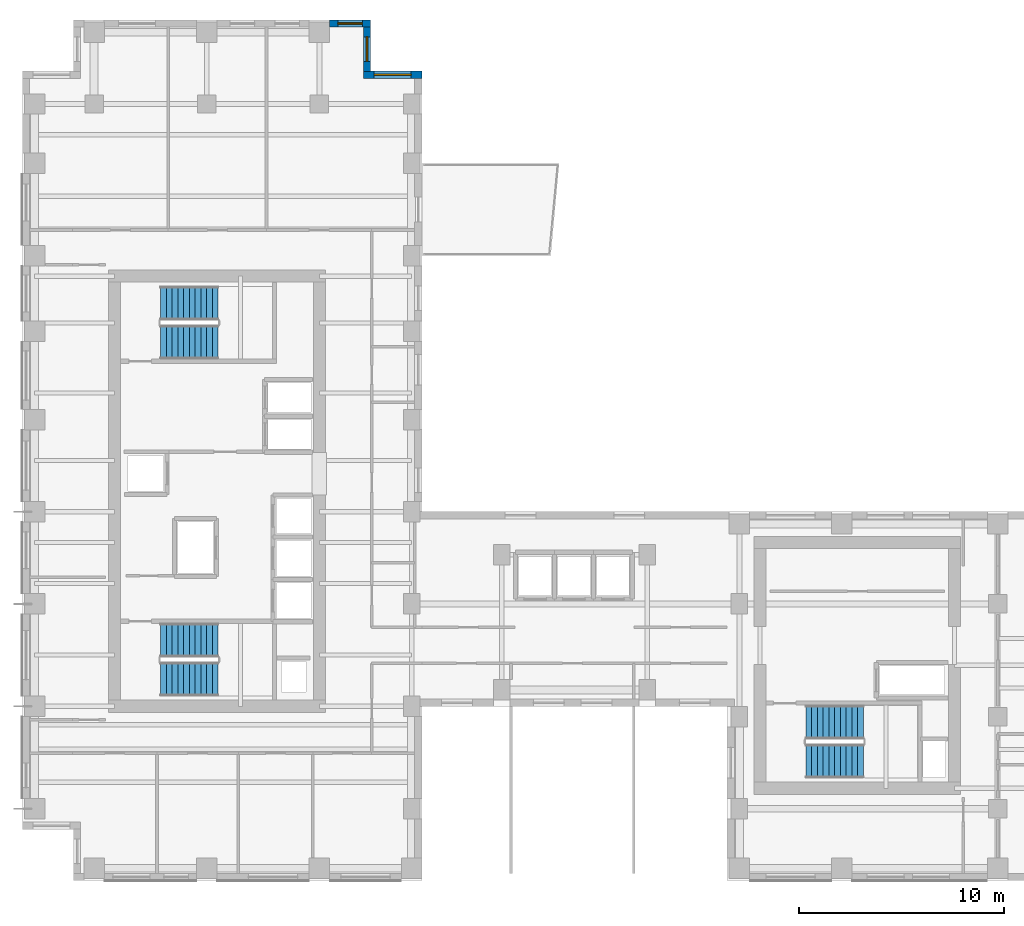
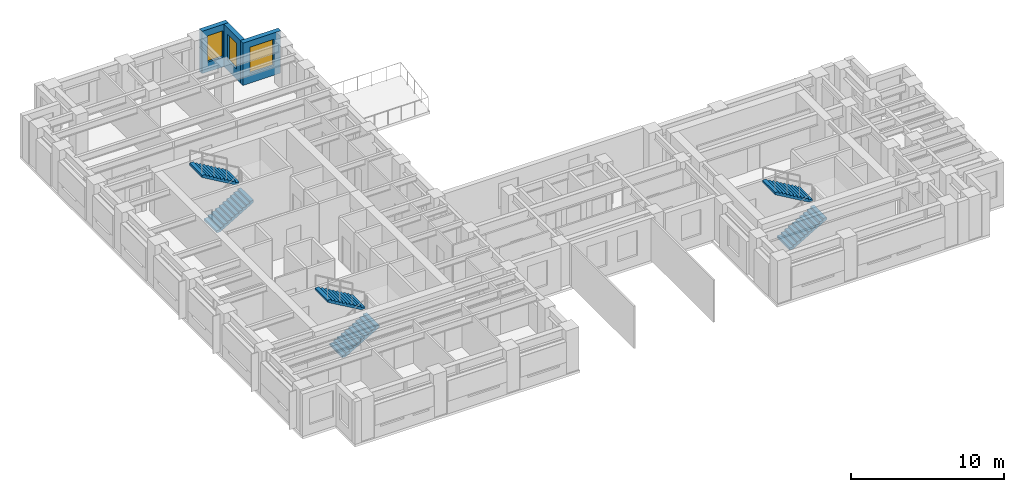
# One storey, part 9 of 11: 6 stair flights, 3 walls, 3 windows, 3 openings, 3 elements without a shape of their own.
"""IFC4 building model written with IfcOpenShell, lengths in metres."""

from ifc_helpers import new_model, si_unit, direction, frame, frame_2d, origin, place, context, subcontext, project, spatial, polyline, rectangle, outline, extrude, source, transform, mapped, material, layer, layer_set, type_object, element, fill, aggregate, save


model = new_model("IFC4")

# Units and contexts
model_context = context("Model", 3, precision=1e-05, world=origin(), true_north=direction((0.0, 1.0)))
body_context = subcontext(model_context, "Body", "Model", "MODEL_VIEW")
ifc_project = project(units=[si_unit("LENGTHUNIT", "METRE"), si_unit("AREAUNIT", "SQUARE_METRE"), si_unit("VOLUMEUNIT", "CUBIC_METRE"), si_unit("PLANEANGLEUNIT", "RADIAN"), si_unit("MASSUNIT", "GRAM", prefix="KILO")], contexts=[model_context])

# Site, building, storey
site_placement = place(None, origin())
site = spatial("IfcSite", under=ifc_project, at=site_placement, CompositionType="ELEMENT")
building_placement = place(site_placement, origin())
building = spatial("IfcBuilding", under=site, at=building_placement, Name="Kharzan Plaza Tower", CompositionType="ELEMENT")
storey_placement = place(building_placement, frame((0.0, 0.0, 200.699951171875)))
storey = spatial("IfcBuildingStorey", under=building, at=storey_placement, Name="L54", CompositionType="ELEMENT", Elevation=200.699951171875)

# Wall, opening, window
ifc_material_1 = material(Name="Concrete C40/50", Category="concrete")
ifc_layer = layer(ifc_material_1, 0.35009765625)
ifc_layer_set = layer_set([ifc_layer], Name="Concrete C40/50")
wall_type = type_object("IfcWallType", Name="WL-EXT-MAS-Z3", PredefinedType="SOLIDWALL", material=ifc_layer_set)
wall_1_placement = place(storey_placement, frame((19.5, 39.324951171875, 0.0), z_axis=(0.0, 0.0, 1.0), x_axis=(-1.0, 0.0, 0.0)))
wall_1 = element("IfcWall", 1, at=wall_1_placement, inside=storey, type_object=wall_type, Name="L54 Masonry-Frame Exterior Wall 01", PredefinedType="SOLIDWALL", context=body_context, shape_type="SweptSolid", body=[
    extrude(rectangle(XDim=2.85009765625, YDim=0.35009765625, at=frame_2d((1.425048828125, 0.0))), origin(), (0.0, 0.0, 1.0), 3.385009765625),
])
opening_1_placement = place(wall_1_placement, frame((0.52490234375, 0.0, 0.780029296875)))
opening_1 = element("IfcOpeningElement", 2, at=opening_1_placement, cuts=wall_1, Name="Opening W1", PredefinedType="OPENING", context=body_context, shape_type="SweptSolid", body=[
    extrude(rectangle(XDim=1.800048828125, YDim=2.10009765625, at=frame_2d((0.89990234375, 1.050048828125))), frame((0.0, 0.18505859375, 0.0), z_axis=(0.0, -1.0, 0.0), x_axis=(1.0, 0.0, 0.0)), (0.0, 0.0, 1.0), 0.3701171875),
])
ifc_material_2 = material(Name="Low-E Double Glazing", Category="glass")
window_type_1 = type_object("IfcWindowType", Name="WN-REC-1800x2100", PartitioningType="SINGLE_PANEL", PredefinedType="WINDOW", material=ifc_material_2)
shared_shape_1 = source(origin(), body_context, "Body", "SweptSolid", [
    extrude(rectangle(XDim=1.800048828125, YDim=2.10009765625, at=frame_2d((0.89990234375, 1.050048828125))), frame((0.0, 0.030029296875, 0.0), z_axis=(0.0, -1.0, 0.0), x_axis=(1.0, 0.0, 0.0)), (0.0, 0.0, 1.0), 0.06005859375),
])
window_1_placement = place(opening_1_placement, origin())
window_1 = element("IfcWindow", 3, at=window_1_placement, inside=storey, type_object=window_type_1, Name="L54 Recessed Solar-Control Window 01-1", OverallHeight=2.10009765625, OverallWidth=1.800048828125, PartitioningType="SINGLE_PANEL", PredefinedType="WINDOW", context=body_context, shape_type="MappedRepresentation", body=[
    mapped(shared_shape_1, transform((0.0, 0.0, 0.0), x_axis=(1.0, 0.0, 0.0), y_axis=(0.0, 1.0, 0.0), z_axis=(0.0, 0.0, 1.0))),
])
fill(opening_1, window_1)

wall_2_placement = place(storey_placement, frame((16.824951171875, 39.498046875, 0.0), z_axis=(0.0, 0.0, 1.0), x_axis=(0.0, 1.0, 0.0)))
wall_2 = element("IfcWall", 4, at=wall_2_placement, inside=storey, type_object=wall_type, Name="L54 Masonry-Frame Exterior Wall 02", PredefinedType="SOLIDWALL", context=body_context, shape_type="SweptSolid", body=[
    extrude(rectangle(XDim=2.154052734375, YDim=0.35009765625, at=frame_2d((1.0771484375, 0.0))), origin(), (0.0, 0.0, 1.0), 3.385009765625),
])
opening_2_placement = place(wall_2_placement, frame((0.47705078125, 0.0, 0.780029296875)))
opening_2 = element("IfcOpeningElement", 5, at=opening_2_placement, cuts=wall_2, Name="Opening W3", PredefinedType="OPENING", context=body_context, shape_type="SweptSolid", body=[
    extrude(rectangle(XDim=1.199951171875, YDim=2.10009765625, at=frame_2d((0.60009765625, 1.050048828125))), frame((0.0, 0.18505859375, 0.0), z_axis=(0.0, -1.0, 0.0), x_axis=(1.0, 0.0, 0.0)), (0.0, 0.0, 1.0), 0.3701171875),
])
window_type_2 = type_object("IfcWindowType", Name="WN-REC-1200x2100", PartitioningType="SINGLE_PANEL", PredefinedType="WINDOW", material=ifc_material_2)
shared_shape_2 = source(origin(), body_context, "Body", "SweptSolid", [
    extrude(rectangle(XDim=1.199951171875, YDim=2.10009765625, at=frame_2d((0.60009765625, 1.050048828125))), frame((0.0, 0.030029296875, 0.0), z_axis=(0.0, -1.0, 0.0), x_axis=(1.0, 0.0, 0.0)), (0.0, 0.0, 1.0), 0.06005859375),
])
window_2_placement = place(opening_2_placement, origin())
window_2 = element("IfcWindow", 6, at=window_2_placement, inside=storey, type_object=window_type_2, Name="L54 Recessed Solar-Control Window 02-1", OverallHeight=2.10009765625, OverallWidth=1.199951171875, PartitioningType="SINGLE_PANEL", PredefinedType="WINDOW", context=body_context, shape_type="MappedRepresentation", body=[
    mapped(shared_shape_2, transform((0.0, 0.0, 0.0), x_axis=(1.0, 0.0, 0.0), y_axis=(0.0, 1.0, 0.0), z_axis=(0.0, 0.0, 1.0))),
])
fill(opening_2, window_2)

wall_3_placement = place(storey_placement, frame((17.0, 41.824951171875, 0.0), z_axis=(0.0, 0.0, 1.0), x_axis=(-1.0, 0.0, 0.0)))
wall_3 = element("IfcWall", 7, at=wall_3_placement, inside=storey, type_object=wall_type, Name="L54 Masonry-Frame Exterior Wall 03", PredefinedType="SOLIDWALL", context=body_context, shape_type="SweptSolid", body=[
    extrude(rectangle(XDim=2.001953125, YDim=0.35009765625, at=frame_2d((1.0009765625, 0.0))), origin(), (0.0, 0.0, 1.0), 3.385009765625),
])
opening_3_placement = place(wall_3_placement, frame((0.40087890625, 0.0, 0.780029296875)))
opening_3 = element("IfcOpeningElement", 8, at=opening_3_placement, cuts=wall_3, Name="Opening W3", PredefinedType="OPENING", context=body_context, shape_type="SweptSolid", body=[
    extrude(rectangle(XDim=1.199951171875, YDim=2.10009765625, at=frame_2d((0.60009765625, 1.050048828125))), frame((0.0, 0.18505859375, 0.0), z_axis=(0.0, -1.0, 0.0), x_axis=(1.0, 0.0, 0.0)), (0.0, 0.0, 1.0), 0.3701171875),
])
window_3_placement = place(opening_3_placement, origin())
window_3 = element("IfcWindow", 9, at=window_3_placement, inside=storey, type_object=window_type_2, Name="L54 Recessed Solar-Control Window 03-1", OverallHeight=2.10009765625, OverallWidth=1.199951171875, PartitioningType="SINGLE_PANEL", PredefinedType="WINDOW", context=body_context, shape_type="MappedRepresentation", body=[
    mapped(shared_shape_2, transform((0.0, 0.0, 0.0), x_axis=(1.0, 0.0, 0.0), y_axis=(0.0, 1.0, 0.0), z_axis=(0.0, 0.0, 1.0))),
])
fill(opening_3, window_3)

# Stair, stair flights
stair_type_1 = type_object("IfcStairType", Name="STR-ST-1", PredefinedType="HALF_TURN_STAIR", material=ifc_material_1)
stair_1_placement = place(storey_placement, origin())
stair_1 = element("IfcStair", 10, at=stair_1_placement, inside=storey, type_object=stair_type_1, Name="L54 Protected Exit Stair ST-1", PredefinedType="HALF_TURN_STAIR")
stair_flight_type = type_object("IfcStairFlightType", Name="SFL-1650-R173", PredefinedType="STRAIGHT", material=ifc_material_1)
shared_shape_3 = source(origin(), body_context, "Body", "SweptSolid", [
    extrude(outline(polyline([(-0.0029296875, -0.011962890625), (-0.0029296875, 0.0), (0.0, 0.0), (0.0, 0.16357421875), (0.280029296875, 0.16357421875), (0.280029296875, 0.3271484375), (0.56005859375, 0.3271484375), (0.56005859375, 0.49072265625), (0.840087890625, 0.49072265625), (0.840087890625, 0.654296875), (1.1201171875, 0.654296875), (1.1201171875, 0.81787109375), (1.400146484375, 0.81787109375), (1.400146484375, 0.9814453125), (1.68017578125, 0.9814453125), (1.68017578125, 1.14501953125), (1.960205078125, 1.14501953125), (1.960205078125, 1.30859375), (2.240234375, 1.30859375), (2.240234375, 1.47216796875), (2.520263671875, 1.47216796875), (2.520263671875, 1.6357421875), (2.80029296875, 1.6357421875), (2.80029296875, 1.79931640625), (2.80029296875, 1.462158203125), (0.297119140625, 0.0), (0.297119140625, -0.011962890625), (-0.0029296875, -0.011962890625)])), frame((0.0, 0.824951171875, 0.0), z_axis=(0.0, -1.0, 0.0), x_axis=(1.0, 0.0, 0.0)), (0.0, 0.0, 1.0), 1.64990234375),
])
stair_flight_1_placement = place(storey_placement, frame((6.75, 9.824951171875, 0.0), z_axis=(0.0, 0.0, 1.0), x_axis=(1.0, 0.0, 0.0)))
stair_flight_1 = element("IfcStairFlight", 11, at=stair_flight_1_placement, type_object=stair_flight_type, Name="ST-1 flight 1", NumberOfRisers=11, NumberOfTreads=10, PredefinedType="STRAIGHT", RiserHeight=0.163636364, TreadLength=0.28, context=body_context, shape_type="MappedRepresentation", body=[
    mapped(shared_shape_3, transform((0.0, 0.0, 0.0), x_axis=(1.0, 0.0, 0.0), y_axis=(0.0, 1.0, 0.0), z_axis=(0.0, 0.0, 1.0))),
])
stair_flight_2_placement = place(storey_placement, frame((9.550048828125, 11.72509765625, 1.800048828125), z_axis=(0.0, 0.0, 1.0), x_axis=(-1.0, 0.0, 0.0)))
stair_flight_2 = element("IfcStairFlight", 12, at=stair_flight_2_placement, type_object=stair_flight_type, Name="ST-1 flight 2", NumberOfRisers=11, NumberOfTreads=10, PredefinedType="STRAIGHT", RiserHeight=0.163636364, TreadLength=0.28, context=body_context, shape_type="MappedRepresentation", body=[
    mapped(shared_shape_3, transform((0.0, 0.0, 0.0), x_axis=(1.0, 0.0, 0.0), y_axis=(0.0, 1.0, 0.0), z_axis=(0.0, 0.0, 1.0))),
])
aggregate(stair_1, [stair_flight_1, stair_flight_2])

stair_type_2 = type_object("IfcStairType", Name="STR-ST-2", PredefinedType="HALF_TURN_STAIR", material=ifc_material_1)
stair_2_placement = place(storey_placement, origin())
stair_2 = element("IfcStair", 13, at=stair_2_placement, inside=storey, type_object=stair_type_2, Name="L54 Protected Exit Stair ST-2", PredefinedType="HALF_TURN_STAIR")
stair_flight_3_placement = place(storey_placement, frame((6.75, 26.27490234375, 0.0), z_axis=(0.0, 0.0, 1.0), x_axis=(1.0, 0.0, 0.0)))
stair_flight_3 = element("IfcStairFlight", 14, at=stair_flight_3_placement, type_object=stair_flight_type, Name="ST-2 flight 1", NumberOfRisers=11, NumberOfTreads=10, PredefinedType="STRAIGHT", RiserHeight=0.163636364, TreadLength=0.28, context=body_context, shape_type="MappedRepresentation", body=[
    mapped(shared_shape_3, transform((0.0, 0.0, 0.0), x_axis=(1.0, 0.0, 0.0), y_axis=(0.0, 1.0, 0.0), z_axis=(0.0, 0.0, 1.0))),
])
stair_flight_4_placement = place(storey_placement, frame((9.550048828125, 28.175048828125, 1.800048828125), z_axis=(0.0, 0.0, 1.0), x_axis=(-1.0, 0.0, 0.0)))
stair_flight_4 = element("IfcStairFlight", 15, at=stair_flight_4_placement, type_object=stair_flight_type, Name="ST-2 flight 2", NumberOfRisers=11, NumberOfTreads=10, PredefinedType="STRAIGHT", RiserHeight=0.163636364, TreadLength=0.28, context=body_context, shape_type="MappedRepresentation", body=[
    mapped(shared_shape_3, transform((0.0, 0.0, 0.0), x_axis=(1.0, 0.0, 0.0), y_axis=(0.0, 1.0, 0.0), z_axis=(0.0, 0.0, 1.0))),
])
aggregate(stair_2, [stair_flight_3, stair_flight_4])

stair_type_3 = type_object("IfcStairType", Name="STR-ST-3", PredefinedType="HALF_TURN_STAIR", material=ifc_material_1)
stair_3_placement = place(storey_placement, origin())
stair_3 = element("IfcStair", 16, at=stair_3_placement, inside=storey, type_object=stair_type_3, Name="L54 Protected Exit Stair ST-3", PredefinedType="HALF_TURN_STAIR")
stair_flight_5_placement = place(storey_placement, frame((38.25, 5.824951171875, 0.0), z_axis=(0.0, 0.0, 1.0), x_axis=(1.0, 0.0, 0.0)))
stair_flight_5 = element("IfcStairFlight", 17, at=stair_flight_5_placement, type_object=stair_flight_type, Name="ST-3 flight 1", NumberOfRisers=11, NumberOfTreads=10, PredefinedType="STRAIGHT", RiserHeight=0.163636364, TreadLength=0.28, context=body_context, shape_type="MappedRepresentation", body=[
    mapped(shared_shape_3, transform((0.0, 0.0, 0.0), x_axis=(1.0, 0.0, 0.0), y_axis=(0.0, 1.0, 0.0), z_axis=(0.0, 0.0, 1.0))),
])
stair_flight_6_placement = place(storey_placement, frame((41.050048828125, 7.72509765625, 1.800048828125), z_axis=(0.0, 0.0, 1.0), x_axis=(-1.0, 0.0, 0.0)))
stair_flight_6 = element("IfcStairFlight", 18, at=stair_flight_6_placement, type_object=stair_flight_type, Name="ST-3 flight 2", NumberOfRisers=11, NumberOfTreads=10, PredefinedType="STRAIGHT", RiserHeight=0.163636364, TreadLength=0.28, context=body_context, shape_type="MappedRepresentation", body=[
    mapped(shared_shape_3, transform((0.0, 0.0, 0.0), x_axis=(1.0, 0.0, 0.0), y_axis=(0.0, 1.0, 0.0), z_axis=(0.0, 0.0, 1.0))),
])
aggregate(stair_3, [stair_flight_5, stair_flight_6])

save(model, "model.ifc")
